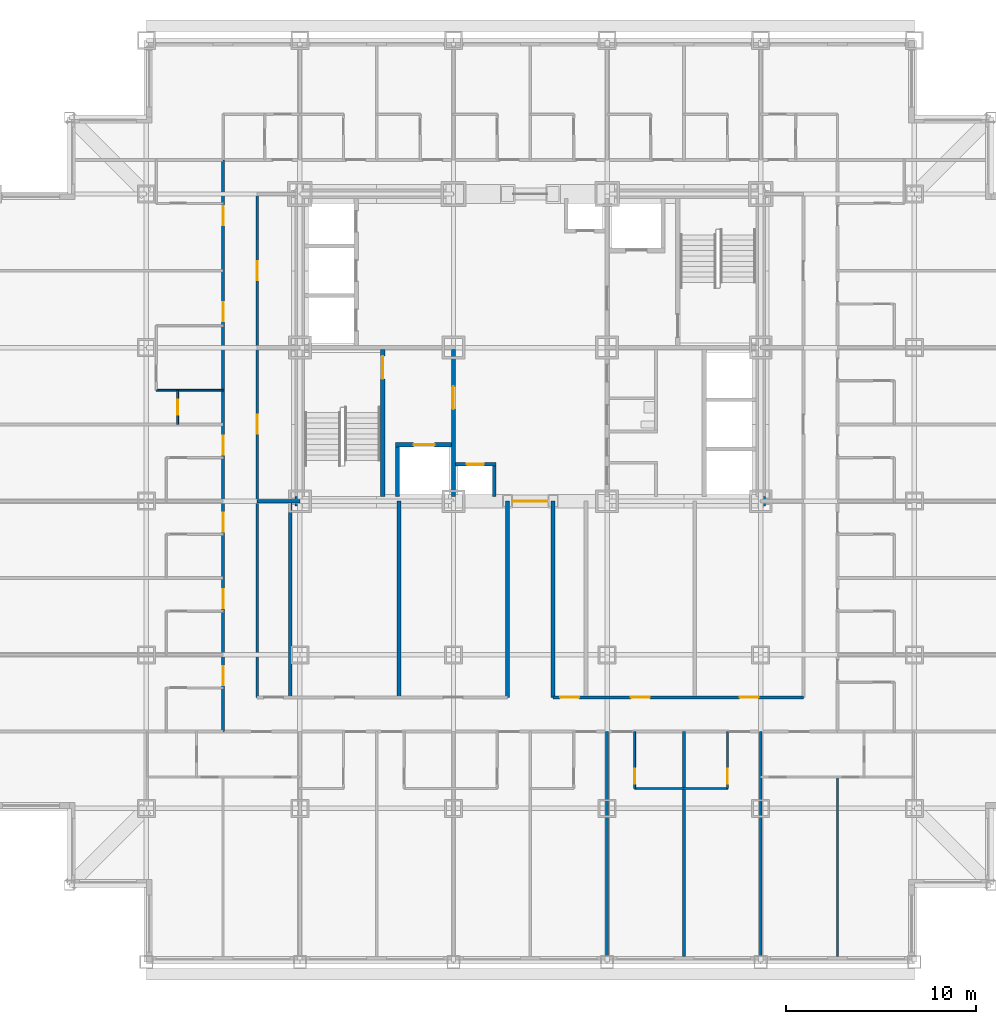
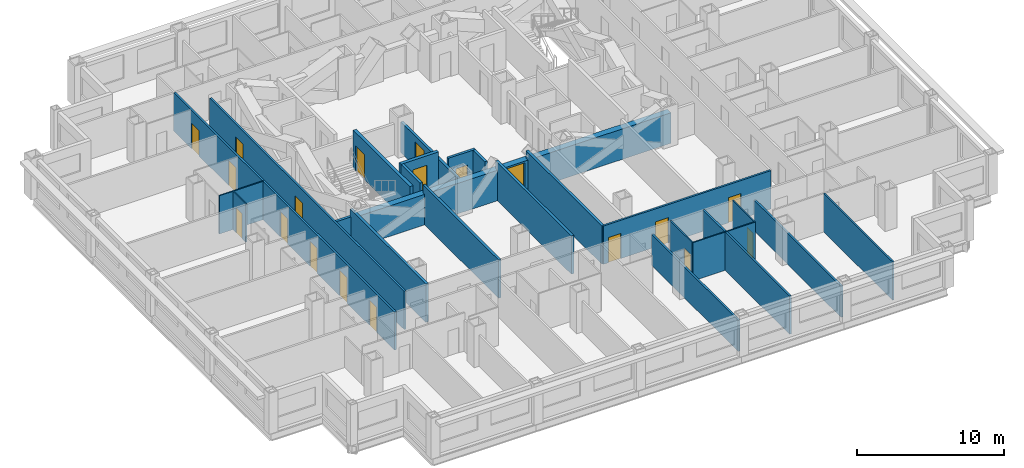
# One storey, part 5 of 12: 24 walls, 19 doors, 19 openings.
"""IFC4 building model written with IfcOpenShell, lengths in metres."""

from ifc_helpers import new_model, si_unit, direction, frame, frame_2d, origin, place, context, subcontext, project, spatial, rectangle, extrude, material, layer, layer_set, type_object, element, fill, save


model = new_model("IFC4")

# Units and contexts
model_context = context("Model", 3, precision=1e-05, world=origin(), true_north=direction((0.0, 1.0)))
body_context = subcontext(model_context, "Body", "Model", "MODEL_VIEW")
ifc_project = project(units=[si_unit("LENGTHUNIT", "METRE"), si_unit("AREAUNIT", "SQUARE_METRE"), si_unit("VOLUMEUNIT", "CUBIC_METRE"), si_unit("PLANEANGLEUNIT", "RADIAN"), si_unit("MASSUNIT", "GRAM", prefix="KILO")], contexts=[model_context])

# Site, building, storey
site_placement = place(None, origin())
site = spatial("IfcSite", under=ifc_project, at=site_placement, CompositionType="ELEMENT")
building_placement = place(site_placement, origin())
building = spatial("IfcBuilding", under=site, at=building_placement, Name="Kopane Lantern Tower", CompositionType="ELEMENT")
storey_placement = place(building_placement, frame((0.0, 0.0, 53.39990234375)))
storey = spatial("IfcBuildingStorey", under=building, at=storey_placement, Name="L12", CompositionType="ELEMENT", Elevation=53.39990234375)

# Walls
ifc_material_1 = material(Name="Gypsum board on steel studs", Category="steel")
ifc_layer_1 = layer(ifc_material_1, 0.1201171875)
ifc_layer_set_1 = layer_set([ifc_layer_1], Name="APARTMENT INTERNAL WALL 120")
wall_type_1 = type_object("IfcWallType", Name="APARTMENT INTERNAL WALL 120", PredefinedType="PARTITIONING", material=ifc_layer_set_1)
wall_1_placement = place(storey_placement, frame((44.550048828125, 9.75, 0.0), z_axis=(0.0, 0.0, 1.0), x_axis=(0.0, -1.0, 0.0)))
element("IfcWall", 1, at=wall_1_placement, inside=storey, type_object=wall_type_1, Name="Apartment Internal Wall 120 L12", PredefinedType="PARTITIONING", context=body_context, shape_type="SweptSolid", body=[
    extrude(rectangle(XDim=9.449951171875, YDim=0.1201171875, at=frame_2d((4.72509765625, 0.0))), origin(), (0.0, 0.0, 1.0), 3.190185546875),
])
ifc_material_2 = material(Name="Moisture-resistant board on steel studs", Category="steel")
ifc_layer_2 = layer(ifc_material_2, 0.10009765625)
ifc_layer_set_2 = layer_set([ifc_layer_2], Name="BATHROOM WALL 100")
wall_type_2 = type_object("IfcWallType", Name="BATHROOM WALL 100", PredefinedType="PARTITIONING", material=ifc_layer_set_2)
wall_2_placement = place(storey_placement, frame((33.85009765625, 9.14990234375, 0.0), z_axis=(0.0, 0.0, 1.0), x_axis=(1.0, 0.0, 0.0)))
element("IfcWall", 2, at=wall_2_placement, inside=storey, type_object=wall_type_2, Name="Bathroom Wall 100 L12", PredefinedType="PARTITIONING", context=body_context, shape_type="SweptSolid", body=[
    extrude(rectangle(XDim=4.89990234375, YDim=0.10009765625, at=frame_2d((2.449951171875, 0.0))), origin(), (0.0, 0.0, 1.0), 3.190185546875),
])

# Wall, opening, door
wall_3_placement = place(storey_placement, frame((33.85009765625, 12.14990234375, 0.0), z_axis=(0.0, 0.0, 1.0), x_axis=(0.0, -1.0, 0.0)))
wall_3 = element("IfcWall", 3, at=wall_3_placement, inside=storey, type_object=wall_type_2, Name="Bathroom Wall 100 L12", PredefinedType="PARTITIONING", context=body_context, shape_type="SweptSolid", body=[
    extrude(rectangle(XDim=3.0, YDim=0.10009765625, at=frame_2d((1.5, 0.0))), origin(), (0.0, 0.0, 1.0), 3.190185546875),
])
opening_1_placement = place(wall_3_placement, frame((1.949951171875, 0.0, 0.0)))
opening_1 = element("IfcOpeningElement", 4, at=opening_1_placement, cuts=wall_3, Name="Opening L12-019", PredefinedType="OPENING", context=body_context, shape_type="SweptSolid", body=[
    extrude(rectangle(XDim=0.800048828125, YDim=2.10009765625, at=frame_2d((0.39990234375, 1.050048828125))), frame((0.0, 0.06005859375, 0.0), z_axis=(0.0, -1.0, 0.0), x_axis=(1.0, 0.0, 0.0)), (0.0, 0.0, 1.0), 0.1201171875),
])
ifc_material_3 = material(Name="Timber door set", Category="wood")
door_type_1 = type_object("IfcDoorType", Name="DOOR D2 800x2100", OperationType="SINGLE_SWING_LEFT", PredefinedType="DOOR", material=ifc_material_3)
door_1_placement = place(opening_1_placement, origin())
door_1 = element("IfcDoor", 5, at=door_1_placement, inside=storey, type_object=door_type_1, Name="Door L12-019", OperationType="SINGLE_SWING_RIGHT", OverallHeight=2.10009765625, OverallWidth=0.800048828125, PredefinedType="DOOR", context=body_context, shape_type="SweptSolid", body=[
    extrude(rectangle(XDim=0.800048828125, YDim=2.10009765625, at=frame_2d((0.39990234375, 1.050048828125))), frame((0.0, 0.02490234375, 0.0), z_axis=(0.0, -1.0, 0.0), x_axis=(1.0, 0.0, 0.0)), (0.0, 0.0, 1.0), 0.050048828125),
])
fill(opening_1, door_1)

wall_4_placement = place(storey_placement, frame((38.75, 12.14990234375, 0.0), z_axis=(0.0, 0.0, 1.0), x_axis=(0.0, -1.0, 0.0)))
wall_4 = element("IfcWall", 6, at=wall_4_placement, inside=storey, type_object=wall_type_2, Name="Bathroom Wall 100 L12", PredefinedType="PARTITIONING", context=body_context, shape_type="SweptSolid", body=[
    extrude(rectangle(XDim=3.0, YDim=0.10009765625, at=frame_2d((1.5, 0.0))), origin(), (0.0, 0.0, 1.0), 3.190185546875),
])
opening_2_placement = place(wall_4_placement, frame((1.949951171875, 0.0, 0.0)))
opening_2 = element("IfcOpeningElement", 7, at=opening_2_placement, cuts=wall_4, Name="Opening L12-021", PredefinedType="OPENING", context=body_context, shape_type="SweptSolid", body=[
    extrude(rectangle(XDim=0.800048828125, YDim=2.10009765625, at=frame_2d((0.39990234375, 1.050048828125))), frame((0.0, 0.06005859375, 0.0), z_axis=(0.0, -1.0, 0.0), x_axis=(1.0, 0.0, 0.0)), (0.0, 0.0, 1.0), 0.1201171875),
])
door_2_placement = place(opening_2_placement, origin())
door_2 = element("IfcDoor", 8, at=door_2_placement, inside=storey, type_object=door_type_1, Name="Door L12-021", OperationType="SINGLE_SWING_LEFT", OverallHeight=2.10009765625, OverallWidth=0.800048828125, PredefinedType="DOOR", context=body_context, shape_type="SweptSolid", body=[
    extrude(rectangle(XDim=0.800048828125, YDim=2.10009765625, at=frame_2d((0.39990234375, 1.050048828125))), frame((0.0, 0.02490234375, 0.0), z_axis=(0.0, -1.0, 0.0), x_axis=(1.0, 0.0, 0.0)), (0.0, 0.0, 1.0), 0.050048828125),
])
fill(opening_2, door_2)

wall_5_placement = place(storey_placement, frame((9.75, 28.35009765625, 0.0), z_axis=(0.0, 0.0, 1.0), x_axis=(0.0, 1.0, 0.0)))
wall_5 = element("IfcWall", 9, at=wall_5_placement, inside=storey, type_object=wall_type_2, Name="Bathroom Wall 100 L12", PredefinedType="PARTITIONING", context=body_context, shape_type="SweptSolid", body=[
    extrude(rectangle(XDim=1.7998046875, YDim=0.10009765625, at=frame_2d((0.89990234375, 0.0))), origin(), (0.0, 0.0, 1.0), 3.190185546875),
])
opening_3_placement = place(wall_5_placement, frame((0.5, 0.0, 0.0)))
opening_3 = element("IfcOpeningElement", 10, at=opening_3_placement, cuts=wall_5, Name="Opening L12-044", PredefinedType="OPENING", context=body_context, shape_type="SweptSolid", body=[
    extrude(rectangle(XDim=0.800048828125, YDim=2.10009765625, at=frame_2d((0.39990234375, 1.050048828125))), frame((0.0, 0.06005859375, 0.0), z_axis=(0.0, -1.0, 0.0), x_axis=(1.0, 0.0, 0.0)), (0.0, 0.0, 1.0), 0.1201171875),
])
door_3_placement = place(opening_3_placement, origin())
door_3 = element("IfcDoor", 11, at=door_3_placement, inside=storey, type_object=door_type_1, Name="Door L12-044", OperationType="SINGLE_SWING_RIGHT", OverallHeight=2.10009765625, OverallWidth=0.800048828125, PredefinedType="DOOR", context=body_context, shape_type="SweptSolid", body=[
    extrude(rectangle(XDim=0.800048828125, YDim=2.10009765625, at=frame_2d((0.39990234375, 1.050048828125))), frame((0.0, 0.02490234375, 0.0), z_axis=(0.0, -1.0, 0.0), x_axis=(1.0, 0.0, 0.0)), (0.0, 0.0, 1.0), 0.050048828125),
])
fill(opening_3, door_3)

# Wall
wall_6_placement = place(storey_placement, frame((12.14990234375, 30.14990234375, 0.0), z_axis=(0.0, 0.0, 1.0), x_axis=(-1.0, 0.0, 0.0)))
element("IfcWall", 12, at=wall_6_placement, inside=storey, type_object=wall_type_2, Name="Bathroom Wall 100 L12", PredefinedType="PARTITIONING", context=body_context, shape_type="SweptSolid", body=[
    extrude(rectangle(XDim=3.514892578125, YDim=0.10009765625, at=frame_2d((1.75732421875, 0.0))), origin(), (0.0, 0.0, 1.0), 3.190185546875),
])

# Wall, opening, door
ifc_material_4 = material(Name="Gypsum shaft wall EI 120", Category="gypsum")
ifc_layer_3 = layer(ifc_material_4, 0.5)
ifc_layer_set_3 = layer_set([ifc_layer_3], Name="CORE PERIMETER WALL 500 EI 120")
wall_type_3 = type_object("IfcWallType", Name="CORE PERIMETER WALL 500 EI 120", PredefinedType="SOLIDWALL", material=ifc_layer_set_3)
wall_7_placement = place(storey_placement, frame((15.949951171875, 24.300048828125, 0.0), z_axis=(0.0, 0.0, 1.0), x_axis=(1.0, 0.0, 0.0)))
wall_7 = element("IfcWall", 13, at=wall_7_placement, inside=storey, type_object=wall_type_3, Name="Core shaft wall L12 PS", PredefinedType="SOLIDWALL", context=body_context, shape_type="SweptSolid", body=[
    extrude(rectangle(XDim=24.800048828125, YDim=0.5, at=frame_2d((12.39990234375, 0.0))), origin(), (0.0, 0.0, 1.0), 2.5400390625),
])
opening_4_placement = place(wall_7_placement, frame((11.5, 0.0, 0.0)))
opening_4 = element("IfcOpeningElement", 14, at=opening_4_placement, cuts=wall_7, Name="Opening 12.CE-S", PredefinedType="OPENING", context=body_context, shape_type="SweptSolid", body=[
    extrude(rectangle(XDim=1.800048828125, YDim=2.39990234375, at=frame_2d((0.89990234375, 1.199951171875))), frame((0.0, 0.260009765625, 0.0), z_axis=(0.0, -1.0, 0.0), x_axis=(1.0, 0.0, 0.0)), (0.0, 0.0, 1.0), 0.52001953125),
])
ifc_material_5 = material(Name="Steel door set", Category="steel")
door_type_2 = type_object("IfcDoorType", Name="CORE ENTRY DOOR 1800x2400 FD60S", OperationType="DOUBLE_DOOR_SINGLE_SWING", PredefinedType="DOOR", material=ifc_material_5)
door_4_placement = place(opening_4_placement, origin())
door_4 = element("IfcDoor", 15, at=door_4_placement, inside=storey, type_object=door_type_2, Name="Core entry door L12 south", OperationType="DOUBLE_DOOR_SINGLE_SWING", OverallHeight=2.39990234375, OverallWidth=1.800048828125, PredefinedType="DOOR", context=body_context, shape_type="SweptSolid", body=[
    extrude(rectangle(XDim=1.800048828125, YDim=2.39990234375, at=frame_2d((0.89990234375, 1.199951171875))), frame((0.0, 0.02490234375, 0.0), z_axis=(0.0, -1.0, 0.0), x_axis=(1.0, 0.0, 0.0)), (0.0, 0.0, 1.0), 0.050048828125),
])
fill(opening_4, door_4)

ifc_material_6 = material(Name="Gypsum shaft wall EI 120", Category="gypsum")
ifc_layer_4 = layer(ifc_material_6, 0.25)
ifc_layer_set_4 = layer_set([ifc_layer_4], Name="CORE SHAFT WALL 250 EI 120")
wall_type_4 = type_object("IfcWallType", Name="CORE SHAFT WALL 250 EI 120", PredefinedType="SOLIDWALL", material=ifc_layer_set_4)
wall_8_placement = place(storey_placement, frame((20.574951171875, 24.550048828125, 0.0), z_axis=(0.0, 0.0, 1.0), x_axis=(0.0, 1.0, 0.0)))
wall_8 = element("IfcWall", 16, at=wall_8_placement, inside=storey, type_object=wall_type_4, Name="Core shaft wall L12 XST1", PredefinedType="SOLIDWALL", context=body_context, shape_type="SweptSolid", body=[
    extrude(rectangle(XDim=7.75, YDim=0.25, at=frame_2d((3.875, 0.0))), origin(), (0.0, 0.0, 1.0), 3.190185546875),
])
opening_5_placement = place(wall_8_placement, frame((6.199951171875, 0.0, 0.0)))
opening_5 = element("IfcOpeningElement", 17, at=opening_5_placement, cuts=wall_8, Name="Opening 12.SD1", PredefinedType="OPENING", context=body_context, shape_type="SweptSolid", body=[
    extrude(rectangle(XDim=1.199951171875, YDim=2.10009765625, at=frame_2d((0.60009765625, 1.050048828125))), frame((0.0, 0.135009765625, 0.0), z_axis=(0.0, -1.0, 0.0), x_axis=(1.0, 0.0, 0.0)), (0.0, 0.0, 1.0), 0.27001953125),
])
ifc_material_7 = material(Name="Steel door set", Category="steel")
door_type_3 = type_object("IfcDoorType", Name="STAIR DOOR 1200x2100 FD60S", OperationType="SINGLE_SWING_LEFT", PredefinedType="DOOR", material=ifc_material_7)
door_5_placement = place(opening_5_placement, origin())
door_5 = element("IfcDoor", 18, at=door_5_placement, inside=storey, type_object=door_type_3, Name="Stair door ST1 L12", OperationType="SINGLE_SWING_LEFT", OverallHeight=2.10009765625, OverallWidth=1.199951171875, PredefinedType="DOOR", context=body_context, shape_type="SweptSolid", body=[
    extrude(rectangle(XDim=1.199951171875, YDim=2.10009765625, at=frame_2d((0.60009765625, 1.050048828125))), frame((0.0, 0.02490234375, 0.0), z_axis=(0.0, -1.0, 0.0), x_axis=(1.0, 0.0, 0.0)), (0.0, 0.0, 1.0), 0.050048828125),
])
fill(opening_5, door_5)

wall_9_placement = place(storey_placement, frame((21.25, 27.27490234375, 0.0), z_axis=(0.0, 0.0, 1.0), x_axis=(1.0, 0.0, 0.0)))
wall_9 = element("IfcWall", 19, at=wall_9_placement, inside=storey, type_object=wall_type_4, Name="Core shaft wall L12 YLF1", PredefinedType="SOLIDWALL", context=body_context, shape_type="SweptSolid", body=[
    extrude(rectangle(XDim=2.949951171875, YDim=0.25, at=frame_2d((1.47509765625, 0.0))), origin(), (0.0, 0.0, 1.0), 3.190185546875),
])
opening_6_placement = place(wall_9_placement, frame((0.949951171875, 0.0, 0.0)))
opening_6 = element("IfcOpeningElement", 20, at=opening_6_placement, cuts=wall_9, Name="Opening 12.LD-LF1", PredefinedType="OPENING", context=body_context, shape_type="SweptSolid", body=[
    extrude(rectangle(XDim=1.10009765625, YDim=2.39990234375, at=frame_2d((0.550048828125, 1.199951171875))), frame((0.0, 0.135009765625, 0.0), z_axis=(0.0, -1.0, 0.0), x_axis=(1.0, 0.0, 0.0)), (0.0, 0.0, 1.0), 0.27001953125),
])
ifc_material_8 = material(Name="Steel door set", Category="steel")
door_type_4 = type_object("IfcDoorType", Name="LIFT LANDING DOOR 1100x2400 FD60", OperationType="DOUBLE_DOOR_SLIDING", PredefinedType="DOOR", material=ifc_material_8)
door_6_placement = place(opening_6_placement, origin())
door_6 = element("IfcDoor", 21, at=door_6_placement, inside=storey, type_object=door_type_4, Name="Landing door LF1 L12", OperationType="DOUBLE_DOOR_SLIDING", OverallHeight=2.39990234375, OverallWidth=1.10009765625, PredefinedType="DOOR", context=body_context, shape_type="SweptSolid", body=[
    extrude(rectangle(XDim=1.10009765625, YDim=2.39990234375, at=frame_2d((0.550048828125, 1.199951171875))), frame((0.0, 0.02490234375, 0.0), z_axis=(0.0, -1.0, 0.0), x_axis=(1.0, 0.0, 0.0)), (0.0, 0.0, 1.0), 0.050048828125),
])
fill(opening_6, door_6)

# Wall, openings, doors
ifc_material_9 = material(Name="Gypsum board on steel studs", Category="steel")
ifc_layer_5 = layer(ifc_material_9, 0.14990234375)
ifc_layer_set_5 = layer_set([ifc_layer_5], Name="CORRIDOR WALL 150 EI 60")
wall_type_5 = type_object("IfcWallType", Name="CORRIDOR WALL 150 EI 60", PredefinedType="PARTITIONING", material=ifc_layer_set_5)
wall_10_placement = place(storey_placement, frame((12.14990234375, 12.14990234375, 0.0), z_axis=(0.0, 0.0, 1.0), x_axis=(0.0, 1.0, 0.0)))
wall_10 = element("IfcWall", 22, at=wall_10_placement, inside=storey, type_object=wall_type_5, Name="Corridor Wall 150 Ei 60 L12", PredefinedType="PARTITIONING", context=body_context, shape_type="SweptSolid", body=[
    extrude(rectangle(XDim=30.150146484375, YDim=0.14990234375, at=frame_2d((15.0751953125, 0.0))), origin(), (0.0, 0.0, 1.0), 3.190185546875),
])
opening_7_placement = place(wall_10_placement, frame((2.449951171875, 0.0, 0.0)))
opening_7 = element("IfcOpeningElement", 23, at=opening_7_placement, cuts=wall_10, Name="Opening L12-036", PredefinedType="OPENING", context=body_context, shape_type="SweptSolid", body=[
    extrude(rectangle(XDim=1.0, YDim=2.10009765625, at=frame_2d((0.5, 1.050048828125))), frame((0.0, 0.0849609375, 0.0), z_axis=(0.0, -1.0, 0.0), x_axis=(1.0, 0.0, 0.0)), (0.0, 0.0, 1.0), 0.169921875),
])
opening_8_placement = place(wall_10_placement, frame((6.5, 0.0, 0.0)))
opening_8 = element("IfcOpeningElement", 24, at=opening_8_placement, cuts=wall_10, Name="Opening L12-038", PredefinedType="OPENING", context=body_context, shape_type="SweptSolid", body=[
    extrude(rectangle(XDim=1.0, YDim=2.10009765625, at=frame_2d((0.5, 1.050048828125))), frame((0.0, 0.0849609375, 0.0), z_axis=(0.0, -1.0, 0.0), x_axis=(1.0, 0.0, 0.0)), (0.0, 0.0, 1.0), 0.169921875),
])
opening_9_placement = place(wall_10_placement, frame((10.550048828125, 0.0, 0.0)))
opening_9 = element("IfcOpeningElement", 25, at=opening_9_placement, cuts=wall_10, Name="Opening L12-040", PredefinedType="OPENING", context=body_context, shape_type="SweptSolid", body=[
    extrude(rectangle(XDim=1.0, YDim=2.10009765625, at=frame_2d((0.5, 1.050048828125))), frame((0.0, 0.0849609375, 0.0), z_axis=(0.0, -1.0, 0.0), x_axis=(1.0, 0.0, 0.0)), (0.0, 0.0, 1.0), 0.169921875),
])
opening_10_placement = place(wall_10_placement, frame((14.60009765625, 0.0, 0.0)))
opening_10 = element("IfcOpeningElement", 26, at=opening_10_placement, cuts=wall_10, Name="Opening L12-042", PredefinedType="OPENING", context=body_context, shape_type="SweptSolid", body=[
    extrude(rectangle(XDim=1.0, YDim=2.10009765625, at=frame_2d((0.5, 1.050048828125))), frame((0.0, 0.0849609375, 0.0), z_axis=(0.0, -1.0, 0.0), x_axis=(1.0, 0.0, 0.0)), (0.0, 0.0, 1.0), 0.169921875),
])
opening_11_placement = place(wall_10_placement, frame((21.64990234375, 0.0, 0.0)))
opening_11 = element("IfcOpeningElement", 27, at=opening_11_placement, cuts=wall_10, Name="Opening L12-045", PredefinedType="OPENING", context=body_context, shape_type="SweptSolid", body=[
    extrude(rectangle(XDim=1.0, YDim=2.10009765625, at=frame_2d((0.5, 1.050048828125))), frame((0.0, 0.0849609375, 0.0), z_axis=(0.0, -1.0, 0.0), x_axis=(1.0, 0.0, 0.0)), (0.0, 0.0, 1.0), 0.169921875),
])
opening_12_placement = place(wall_10_placement, frame((26.699951171875, 0.0, 0.0)))
opening_12 = element("IfcOpeningElement", 28, at=opening_12_placement, cuts=wall_10, Name="Opening L12-047", PredefinedType="OPENING", context=body_context, shape_type="SweptSolid", body=[
    extrude(rectangle(XDim=1.0, YDim=2.10009765625, at=frame_2d((0.5, 1.050048828125))), frame((0.0, 0.0849609375, 0.0), z_axis=(0.0, -1.0, 0.0), x_axis=(1.0, 0.0, 0.0)), (0.0, 0.0, 1.0), 0.169921875),
])
ifc_material_10 = material(Name="Steel door set", Category="steel")
door_type_5 = type_object("IfcDoorType", Name="DOOR D1 1000x2100 FD30S", OperationType="SINGLE_SWING_LEFT", PredefinedType="DOOR", material=ifc_material_10)
door_7_placement = place(opening_7_placement, origin())
door_7 = element("IfcDoor", 29, at=door_7_placement, inside=storey, type_object=door_type_5, Name="Door L12-036", OperationType="SINGLE_SWING_LEFT", OverallHeight=2.10009765625, OverallWidth=1.0, PredefinedType="DOOR", context=body_context, shape_type="SweptSolid", body=[
    extrude(rectangle(XDim=1.0, YDim=2.10009765625, at=frame_2d((0.5, 1.050048828125))), frame((0.0, 0.02490234375, 0.0), z_axis=(0.0, -1.0, 0.0), x_axis=(1.0, 0.0, 0.0)), (0.0, 0.0, 1.0), 0.050048828125),
])
fill(opening_7, door_7)
door_8_placement = place(opening_8_placement, origin())
door_8 = element("IfcDoor", 30, at=door_8_placement, inside=storey, type_object=door_type_5, Name="Door L12-038", OperationType="SINGLE_SWING_LEFT", OverallHeight=2.10009765625, OverallWidth=1.0, PredefinedType="DOOR", context=body_context, shape_type="SweptSolid", body=[
    extrude(rectangle(XDim=1.0, YDim=2.10009765625, at=frame_2d((0.5, 1.050048828125))), frame((0.0, 0.02490234375, 0.0), z_axis=(0.0, -1.0, 0.0), x_axis=(1.0, 0.0, 0.0)), (0.0, 0.0, 1.0), 0.050048828125),
])
fill(opening_8, door_8)
door_9_placement = place(opening_9_placement, origin())
door_9 = element("IfcDoor", 31, at=door_9_placement, inside=storey, type_object=door_type_5, Name="Door L12-040", OperationType="SINGLE_SWING_LEFT", OverallHeight=2.10009765625, OverallWidth=1.0, PredefinedType="DOOR", context=body_context, shape_type="SweptSolid", body=[
    extrude(rectangle(XDim=1.0, YDim=2.10009765625, at=frame_2d((0.5, 1.050048828125))), frame((0.0, 0.02490234375, 0.0), z_axis=(0.0, -1.0, 0.0), x_axis=(1.0, 0.0, 0.0)), (0.0, 0.0, 1.0), 0.050048828125),
])
fill(opening_9, door_9)
door_10_placement = place(opening_10_placement, origin())
door_10 = element("IfcDoor", 32, at=door_10_placement, inside=storey, type_object=door_type_5, Name="Door L12-042", OperationType="SINGLE_SWING_LEFT", OverallHeight=2.10009765625, OverallWidth=1.0, PredefinedType="DOOR", context=body_context, shape_type="SweptSolid", body=[
    extrude(rectangle(XDim=1.0, YDim=2.10009765625, at=frame_2d((0.5, 1.050048828125))), frame((0.0, 0.02490234375, 0.0), z_axis=(0.0, -1.0, 0.0), x_axis=(1.0, 0.0, 0.0)), (0.0, 0.0, 1.0), 0.050048828125),
])
fill(opening_10, door_10)
door_11_placement = place(opening_11_placement, origin())
door_11 = element("IfcDoor", 33, at=door_11_placement, inside=storey, type_object=door_type_5, Name="Door L12-045", OperationType="SINGLE_SWING_LEFT", OverallHeight=2.10009765625, OverallWidth=1.0, PredefinedType="DOOR", context=body_context, shape_type="SweptSolid", body=[
    extrude(rectangle(XDim=1.0, YDim=2.10009765625, at=frame_2d((0.5, 1.050048828125))), frame((0.0, 0.02490234375, 0.0), z_axis=(0.0, -1.0, 0.0), x_axis=(1.0, 0.0, 0.0)), (0.0, 0.0, 1.0), 0.050048828125),
])
fill(opening_11, door_11)
door_12_placement = place(opening_12_placement, origin())
door_12 = element("IfcDoor", 34, at=door_12_placement, inside=storey, type_object=door_type_5, Name="Door L12-047", OperationType="SINGLE_SWING_RIGHT", OverallHeight=2.10009765625, OverallWidth=1.0, PredefinedType="DOOR", context=body_context, shape_type="SweptSolid", body=[
    extrude(rectangle(XDim=1.0, YDim=2.10009765625, at=frame_2d((0.5, 1.050048828125))), frame((0.0, 0.02490234375, 0.0), z_axis=(0.0, -1.0, 0.0), x_axis=(1.0, 0.0, 0.0)), (0.0, 0.0, 1.0), 0.050048828125),
])
fill(opening_12, door_12)

wall_11_placement = place(storey_placement, frame((13.949951171875, 40.5, 0.0), z_axis=(0.0, 0.0, 1.0), x_axis=(0.0, -1.0, 0.0)))
wall_11 = element("IfcWall", 35, at=wall_11_placement, inside=storey, type_object=wall_type_5, Name="Corridor Wall 150 Ei 60 L12", PredefinedType="PARTITIONING", context=body_context, shape_type="SweptSolid", body=[
    extrude(rectangle(XDim=26.550048828125, YDim=0.14990234375, at=frame_2d((13.27490234375, 0.0))), origin(), (0.0, 0.0, 1.0), 3.190185546875),
])
opening_13_placement = place(wall_11_placement, frame((11.64990234375, 0.0, 0.0)))
opening_13 = element("IfcOpeningElement", 36, at=opening_13_placement, cuts=wall_11, Name="Opening L12-001", PredefinedType="OPENING", context=body_context, shape_type="SweptSolid", body=[
    extrude(rectangle(XDim=1.0, YDim=2.10009765625, at=frame_2d((0.5, 1.050048828125))), frame((0.0, 0.0849609375, 0.0), z_axis=(0.0, -1.0, 0.0), x_axis=(1.0, 0.0, 0.0)), (0.0, 0.0, 1.0), 0.169921875),
])
opening_14_placement = place(wall_11_placement, frame((3.550048828125, 0.0, 0.0)))
opening_14 = element("IfcOpeningElement", 37, at=opening_14_placement, cuts=wall_11, Name="Opening L12-002", PredefinedType="OPENING", context=body_context, shape_type="SweptSolid", body=[
    extrude(rectangle(XDim=1.0, YDim=2.10009765625, at=frame_2d((0.5, 1.050048828125))), frame((0.0, 0.0849609375, 0.0), z_axis=(0.0, -1.0, 0.0), x_axis=(1.0, 0.0, 0.0)), (0.0, 0.0, 1.0), 0.169921875),
])
ifc_material_11 = material(Name="Steel door set", Category="steel")
door_type_6 = type_object("IfcDoorType", Name="DOOR D5 1000x2100 FD60", OperationType="SINGLE_SWING_LEFT", PredefinedType="DOOR", material=ifc_material_11)
door_13_placement = place(opening_13_placement, origin())
door_13 = element("IfcDoor", 38, at=door_13_placement, inside=storey, type_object=door_type_6, Name="Door L12-001", OperationType="SINGLE_SWING_RIGHT", OverallHeight=2.10009765625, OverallWidth=1.0, PredefinedType="DOOR", context=body_context, shape_type="SweptSolid", body=[
    extrude(rectangle(XDim=1.0, YDim=2.10009765625, at=frame_2d((0.5, 1.050048828125))), frame((0.0, 0.02490234375, 0.0), z_axis=(0.0, -1.0, 0.0), x_axis=(1.0, 0.0, 0.0)), (0.0, 0.0, 1.0), 0.050048828125),
])
fill(opening_13, door_13)
door_14_placement = place(opening_14_placement, origin())
door_14 = element("IfcDoor", 39, at=door_14_placement, inside=storey, type_object=door_type_6, Name="Door L12-002", OperationType="SINGLE_SWING_LEFT", OverallHeight=2.10009765625, OverallWidth=1.0, PredefinedType="DOOR", context=body_context, shape_type="SweptSolid", body=[
    extrude(rectangle(XDim=1.0, YDim=2.10009765625, at=frame_2d((0.5, 1.050048828125))), frame((0.0, 0.02490234375, 0.0), z_axis=(0.0, -1.0, 0.0), x_axis=(1.0, 0.0, 0.0)), (0.0, 0.0, 1.0), 0.050048828125),
])
fill(opening_14, door_14)

wall_12_placement = place(storey_placement, frame((29.56005859375, 13.949951171875, 0.0), z_axis=(0.0, 0.0, 1.0), x_axis=(1.0, 0.0, 0.0)))
wall_12 = element("IfcWall", 40, at=wall_12_placement, inside=storey, type_object=wall_type_5, Name="Corridor Wall 150 Ei 60 L12", PredefinedType="PARTITIONING", context=body_context, shape_type="SweptSolid", body=[
    extrude(rectangle(XDim=13.18994140625, YDim=0.14990234375, at=frame_2d((6.594970703125, 0.0))), origin(), (0.0, 0.0, 1.0), 3.190185546875),
])
opening_15_placement = place(wall_12_placement, frame((0.359619140625, 0.0, 0.0)))
opening_15 = element("IfcOpeningElement", 41, at=opening_15_placement, cuts=wall_12, Name="Opening L12-008", PredefinedType="OPENING", context=body_context, shape_type="SweptSolid", body=[
    extrude(rectangle(XDim=1.0, YDim=2.10009765625, at=frame_2d((0.5, 1.050048828125))), frame((0.0, 0.0849609375, 0.0), z_axis=(0.0, -1.0, 0.0), x_axis=(1.0, 0.0, 0.0)), (0.0, 0.0, 1.0), 0.169921875),
])
opening_16_placement = place(wall_12_placement, frame((4.09423828125, 0.0, 0.0)))
opening_16 = element("IfcOpeningElement", 42, at=opening_16_placement, cuts=wall_12, Name="Opening L12-009", PredefinedType="OPENING", context=body_context, shape_type="SweptSolid", body=[
    extrude(rectangle(XDim=1.0, YDim=2.10009765625, at=frame_2d((0.5, 1.050048828125))), frame((0.0, 0.0849609375, 0.0), z_axis=(0.0, -1.0, 0.0), x_axis=(1.0, 0.0, 0.0)), (0.0, 0.0, 1.0), 0.169921875),
])
opening_17_placement = place(wall_12_placement, frame((9.82470703125, 0.0, 0.0)))
opening_17 = element("IfcOpeningElement", 43, at=opening_17_placement, cuts=wall_12, Name="Opening L12-010", PredefinedType="OPENING", context=body_context, shape_type="SweptSolid", body=[
    extrude(rectangle(XDim=1.0, YDim=2.10009765625, at=frame_2d((0.5, 1.050048828125))), frame((0.0, 0.0849609375, 0.0), z_axis=(0.0, -1.0, 0.0), x_axis=(1.0, 0.0, 0.0)), (0.0, 0.0, 1.0), 0.169921875),
])
door_15_placement = place(opening_15_placement, origin())
door_15 = element("IfcDoor", 44, at=door_15_placement, inside=storey, type_object=door_type_6, Name="Door L12-008", OperationType="SINGLE_SWING_LEFT", OverallHeight=2.10009765625, OverallWidth=1.0, PredefinedType="DOOR", context=body_context, shape_type="SweptSolid", body=[
    extrude(rectangle(XDim=1.0, YDim=2.10009765625, at=frame_2d((0.5, 1.050048828125))), frame((0.0, 0.02490234375, 0.0), z_axis=(0.0, -1.0, 0.0), x_axis=(1.0, 0.0, 0.0)), (0.0, 0.0, 1.0), 0.050048828125),
])
fill(opening_15, door_15)
door_16_placement = place(opening_16_placement, origin())
door_16 = element("IfcDoor", 45, at=door_16_placement, inside=storey, type_object=door_type_6, Name="Door L12-009", OperationType="SINGLE_SWING_RIGHT", OverallHeight=2.10009765625, OverallWidth=1.0, PredefinedType="DOOR", context=body_context, shape_type="SweptSolid", body=[
    extrude(rectangle(XDim=1.0, YDim=2.10009765625, at=frame_2d((0.5, 1.050048828125))), frame((0.0, 0.02490234375, 0.0), z_axis=(0.0, -1.0, 0.0), x_axis=(1.0, 0.0, 0.0)), (0.0, 0.0, 1.0), 0.050048828125),
])
fill(opening_16, door_16)
door_17_placement = place(opening_17_placement, origin())
door_17 = element("IfcDoor", 46, at=door_17_placement, inside=storey, type_object=door_type_6, Name="Door L12-010", OperationType="SINGLE_SWING_LEFT", OverallHeight=2.10009765625, OverallWidth=1.0, PredefinedType="DOOR", context=body_context, shape_type="SweptSolid", body=[
    extrude(rectangle(XDim=1.0, YDim=2.10009765625, at=frame_2d((0.5, 1.050048828125))), frame((0.0, 0.02490234375, 0.0), z_axis=(0.0, -1.0, 0.0), x_axis=(1.0, 0.0, 0.0)), (0.0, 0.0, 1.0), 0.050048828125),
])
fill(opening_17, door_17)

# Walls
ifc_material_12 = material(Name="Gypsum board on steel studs", Category="steel")
ifc_layer_6 = layer(ifc_material_12, 0.14990234375)
ifc_layer_set_6 = layer_set([ifc_layer_6], Name="DEMISING WALL 150 EI 60")
wall_type_6 = type_object("IfcWallType", Name="DEMISING WALL 150 EI 60", PredefinedType="PARTITIONING", material=ifc_layer_set_6)
wall_13_placement = place(storey_placement, frame((32.39990234375, 12.14990234375, 0.0), z_axis=(0.0, 0.0, 1.0), x_axis=(0.0, -1.0, 0.0)))
element("IfcWall", 47, at=wall_13_placement, inside=storey, type_object=wall_type_6, Name="Demising Wall 150 Ei 60 L12", PredefinedType="PARTITIONING", context=body_context, shape_type="SweptSolid", body=[
    extrude(rectangle(XDim=11.849853515625, YDim=0.14990234375, at=frame_2d((5.9248046875, 0.0))), origin(), (0.0, 0.0, 1.0), 2.577880859375),
])
wall_14_placement = place(storey_placement, frame((36.449951171875, 12.14990234375, 0.0), z_axis=(0.0, 0.0, 1.0), x_axis=(0.0, -1.0, 0.0)))
element("IfcWall", 48, at=wall_14_placement, inside=storey, type_object=wall_type_6, Name="Demising Wall 150 Ei 60 L12", PredefinedType="PARTITIONING", context=body_context, shape_type="SweptSolid", body=[
    extrude(rectangle(XDim=11.849853515625, YDim=0.14990234375, at=frame_2d((5.9248046875, 0.0))), origin(), (0.0, 0.0, 1.0), 3.190185546875),
])
wall_15_placement = place(storey_placement, frame((40.5, 12.14990234375, 0.0), z_axis=(0.0, 0.0, 1.0), x_axis=(0.0, -1.0, 0.0)))
element("IfcWall", 49, at=wall_15_placement, inside=storey, type_object=wall_type_6, Name="Demising Wall 150 Ei 60 L12", PredefinedType="PARTITIONING", context=body_context, shape_type="SweptSolid", body=[
    extrude(rectangle(XDim=11.849853515625, YDim=0.14990234375, at=frame_2d((5.9248046875, 0.0))), origin(), (0.0, 0.0, 1.0), 2.577880859375),
])
ifc_material_13 = material(Name="Concrete masonry", Category="masonry")
ifc_layer_7 = layer(ifc_material_13, 0.199951171875)
ifc_layer_set_7 = layer_set([ifc_layer_7], Name="PLANT ROOM WALL 200 EI 120")
wall_type_7 = type_object("IfcWallType", Name="PLANT ROOM WALL 200 EI 120", PredefinedType="SOLIDWALL", material=ifc_layer_set_7)
for number, where, z_axis, x_axis, name in (
    (50, (15.689208984375, 13.949951171875, 0.0), (0.0, 0.0, 1.0), (0.0, 1.0, 0.0), "Plant Room Wall 200 Ei 120 L12"),
    (51, (21.419677734375, 13.949951171875, 0.0), (0.0, 0.0, 1.0), (0.0, 1.0, 0.0), "Plant Room Wall 200 Ei 120 L12"),
    (52, (27.14990234375, 13.949951171875, 0.0), (0.0, 0.0, 1.0), (0.0, 1.0, 0.0), "Plant Room Wall 200 Ei 120 L12"),
    (53, (29.550048828125, 13.949951171875, 0.0), (0.0, 0.0, 1.0), (0.0, 1.0, 0.0), "Plant Room Wall 200 Ei 120 L12"),
):
    element("IfcWall", number, at=place(storey_placement, frame(where, z_axis=z_axis, x_axis=x_axis)), inside=storey, type_object=wall_type_7, Name=name, PredefinedType="SOLIDWALL", context=body_context, shape_type="SweptSolid", body=[
        extrude(rectangle(XDim=10.35009765625, YDim=0.199951171875, at=frame_2d((5.175048828125, 0.0))), origin(), (0.0, 0.0, 1.0), 3.190185546875),
    ])
wall_16_placement = place(storey_placement, frame((13.949951171875, 24.300048828125, 0.0), z_axis=(0.0, 0.0, 1.0), x_axis=(1.0, 0.0, 0.0)))
element("IfcWall", 54, at=wall_16_placement, inside=storey, type_object=wall_type_7, Name="Plant Room Wall 200 Ei 120 L12", PredefinedType="SOLIDWALL", context=body_context, shape_type="SweptSolid", body=[
    extrude(rectangle(XDim=2.25, YDim=0.199951171875, at=frame_2d((1.125, 0.0))), origin(), (0.0, 0.0, 1.0), 2.577880859375),
])

# Wall, opening, door
ifc_material_14 = material(Name="Gypsum shaft wall EI 120", Category="gypsum")
ifc_layer_8 = layer(ifc_material_14, 0.199951171875)
ifc_layer_set_8 = layer_set([ifc_layer_8], Name="SHAFT WALL 200 EI 120")
wall_type_8 = type_object("IfcWallType", Name="SHAFT WALL 200 EI 120", PredefinedType="SOLIDWALL", material=ifc_layer_set_8)
wall_17_placement = place(storey_placement, frame((24.300048828125, 24.550048828125, 0.0), z_axis=(0.0, 0.0, 1.0), x_axis=(0.0, 1.0, 0.0)))
wall_17 = element("IfcWall", 55, at=wall_17_placement, inside=storey, type_object=wall_type_8, Name="Core shaft wall L12 X243", PredefinedType="SOLIDWALL", context=body_context, shape_type="SweptSolid", body=[
    extrude(rectangle(XDim=7.75, YDim=0.199951171875, at=frame_2d((3.875, 0.0))), origin(), (0.0, 0.0, 1.0), 2.577880859375),
])
opening_18_placement = place(wall_17_placement, frame((4.60009765625, 0.0, 0.0)))
opening_18 = element("IfcOpeningElement", 56, at=opening_18_placement, cuts=wall_17, Name="Opening 12.FL1", PredefinedType="OPENING", context=body_context, shape_type="SweptSolid", body=[
    extrude(rectangle(XDim=1.199951171875, YDim=2.10009765625, at=frame_2d((0.60009765625, 1.050048828125))), frame((0.0, 0.10986328125, 0.0), z_axis=(0.0, -1.0, 0.0), x_axis=(1.0, 0.0, 0.0)), (0.0, 0.0, 1.0), 0.219970703125),
])
ifc_material_15 = material(Name="Steel door set", Category="steel")
door_type_7 = type_object("IfcDoorType", Name="FIREFIGHTING LOBBY DOOR 1200x2100 FD60S", OperationType="SINGLE_SWING_RIGHT", PredefinedType="DOOR", material=ifc_material_15)
door_18_placement = place(opening_18_placement, origin())
door_18 = element("IfcDoor", 57, at=door_18_placement, inside=storey, type_object=door_type_7, Name="Firefighting lobby door FL1 L12", OperationType="SINGLE_SWING_LEFT", OverallHeight=2.10009765625, OverallWidth=1.199951171875, PredefinedType="DOOR", context=body_context, shape_type="SweptSolid", body=[
    extrude(rectangle(XDim=1.199951171875, YDim=2.10009765625, at=frame_2d((0.60009765625, 1.050048828125))), frame((0.0, 0.02490234375, 0.0), z_axis=(0.0, -1.0, 0.0), x_axis=(1.0, 0.0, 0.0)), (0.0, 0.0, 1.0), 0.050048828125),
])
fill(opening_18, door_18)

# Walls
wall_18_placement = place(storey_placement, frame((21.35009765625, 24.550048828125, 0.0), z_axis=(0.0, 0.0, 1.0), x_axis=(0.0, 1.0, 0.0)))
element("IfcWall", 58, at=wall_18_placement, inside=storey, type_object=wall_type_8, Name="Core shaft wall L12 XLF1", PredefinedType="SOLIDWALL", context=body_context, shape_type="SweptSolid", body=[
    extrude(rectangle(XDim=2.599853515625, YDim=0.199951171875, at=frame_2d((1.2998046875, 0.0))), origin(), (0.0, 0.0, 1.0), 3.190185546875),
])
wall_19_placement = place(storey_placement, frame((26.449951171875, 24.550048828125, 0.0), z_axis=(0.0, 0.0, 1.0), x_axis=(0.0, 1.0, 0.0)))
element("IfcWall", 59, at=wall_19_placement, inside=storey, type_object=wall_type_8, Name="Core shaft wall L12 XRS1", PredefinedType="SOLIDWALL", context=body_context, shape_type="SweptSolid", body=[
    extrude(rectangle(XDim=1.599853515625, YDim=0.199951171875, at=frame_2d((0.7998046875, 0.0))), origin(), (0.0, 0.0, 1.0), 3.190185546875),
])

# Wall, opening, door
wall_20_placement = place(storey_placement, frame((24.39990234375, 26.25, 0.0), z_axis=(0.0, 0.0, 1.0), x_axis=(1.0, 0.0, 0.0)))
wall_20 = element("IfcWall", 60, at=wall_20_placement, inside=storey, type_object=wall_type_8, Name="Core shaft wall L12 YRS1", PredefinedType="SOLIDWALL", context=body_context, shape_type="SweptSolid", body=[
    extrude(rectangle(XDim=2.150146484375, YDim=0.199951171875, at=frame_2d((1.0751953125, 0.0))), origin(), (0.0, 0.0, 1.0), 3.190185546875),
])
opening_19_placement = place(wall_20_placement, frame((0.60009765625, 0.0, 0.0)))
opening_19 = element("IfcOpeningElement", 61, at=opening_19_placement, cuts=wall_20, Name="Opening 12.RS1", PredefinedType="OPENING", context=body_context, shape_type="SweptSolid", body=[
    extrude(rectangle(XDim=0.89990234375, YDim=2.10009765625, at=frame_2d((0.449951171875, 1.050048828125))), frame((0.0, 0.10986328125, 0.0), z_axis=(0.0, -1.0, 0.0), x_axis=(1.0, 0.0, 0.0)), (0.0, 0.0, 1.0), 0.219970703125),
])
ifc_material_16 = material(Name="Steel door set", Category="steel")
door_type_8 = type_object("IfcDoorType", Name="RISER ACCESS DOOR 900x2100 FD60", OperationType="SINGLE_SWING_LEFT", PredefinedType="DOOR", material=ifc_material_16)
door_19_placement = place(opening_19_placement, origin())
door_19 = element("IfcDoor", 62, at=door_19_placement, inside=storey, type_object=door_type_8, Name="Riser access door RS1 L12", OperationType="SINGLE_SWING_LEFT", OverallHeight=2.10009765625, OverallWidth=0.89990234375, PredefinedType="DOOR", context=body_context, shape_type="SweptSolid", body=[
    extrude(rectangle(XDim=0.89990234375, YDim=2.10009765625, at=frame_2d((0.449951171875, 1.050048828125))), frame((0.0, 0.02490234375, 0.0), z_axis=(0.0, -1.0, 0.0), x_axis=(1.0, 0.0, 0.0)), (0.0, 0.0, 1.0), 0.050048828125),
])
fill(opening_19, door_19)

save(model, "model.ifc")
